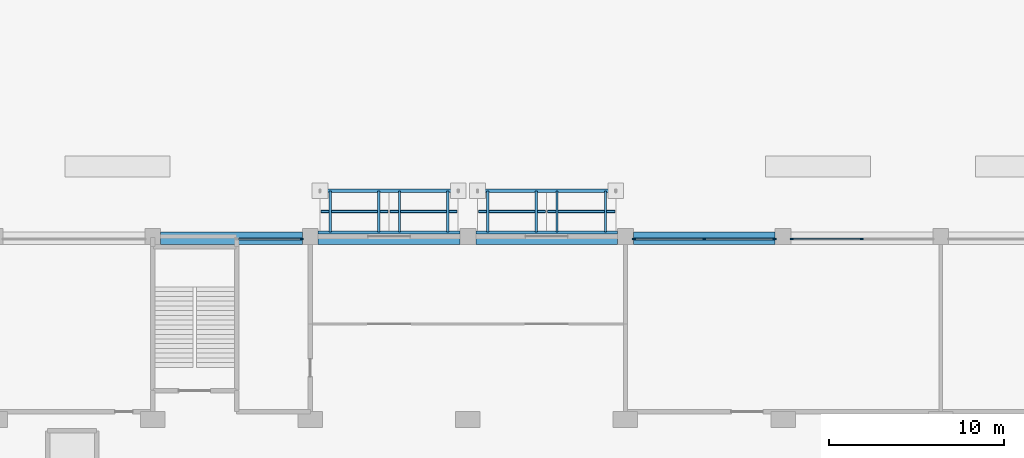
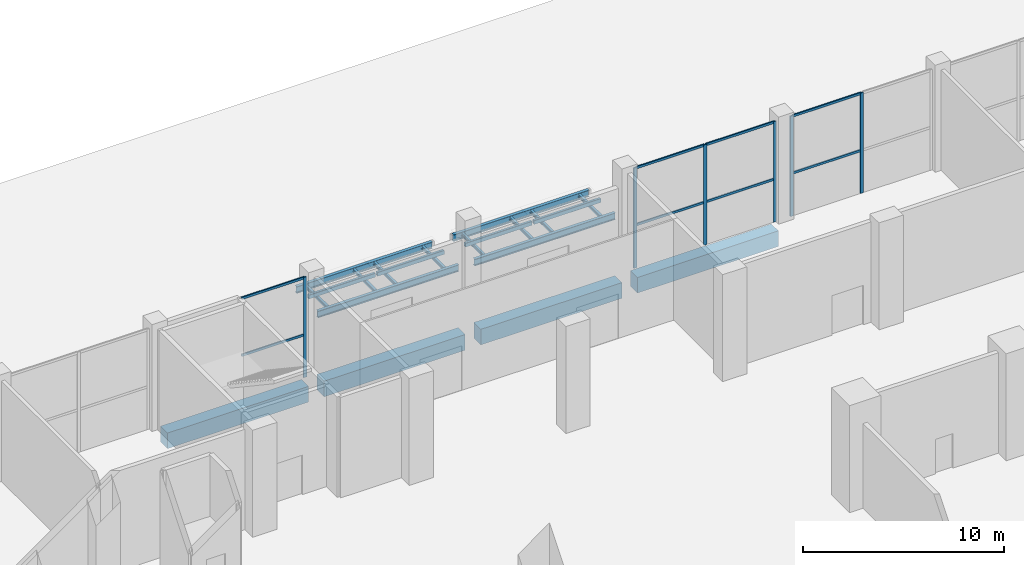
# One storey, part 25 of 39: 18 members, 16 beams, 3 elements without a shape of their own.
"""IFC4 building model written with IfcOpenShell, lengths in metres."""

from ifc_helpers import new_model, si_unit, direction, frame, origin, origin_2d, place, context, subcontext, project, spatial, rectangle, hollow_rectangle, i_section, extrude, material, layer, layer_set, material_profile, profile_set, type_object, element, aggregate, save


model = new_model("IFC4")

# Units and contexts
model_context = context("Model", 3, precision=1e-05, world=origin(), true_north=direction((0.0, 1.0)))
body_context = subcontext(model_context, "Body", "Model", "MODEL_VIEW")
ifc_project = project(units=[si_unit("LENGTHUNIT", "METRE"), si_unit("AREAUNIT", "SQUARE_METRE"), si_unit("VOLUMEUNIT", "CUBIC_METRE"), si_unit("PLANEANGLEUNIT", "RADIAN"), si_unit("MASSUNIT", "GRAM", prefix="KILO")], contexts=[model_context])

# Site, building, storey
site_placement = place(None, origin())
site = spatial("IfcSite", under=ifc_project, at=site_placement, CompositionType="ELEMENT")
building_placement = place(site_placement, origin())
building = spatial("IfcBuilding", under=site, at=building_placement, Name="Brigalow Station Residences", CompositionType="ELEMENT")
storey_placement = place(building_placement, origin())
storey = spatial("IfcBuildingStorey", under=building, at=storey_placement, Name="L00", CompositionType="ELEMENT", Elevation=0.0)

# Beams
ifc_material_1 = material(Name="Steel Grade 300 to AS/NZS 3679.1", Category="steel")
ifc_material_profile_1 = material_profile(ifc_material_1, i_section(OverallWidth=0.133056640625, OverallDepth=0.203125, WebThickness=0.005859375, FlangeThickness=0.0078125, FilletRadius=0.0087890625, at=origin_2d()), Name="200UB25.4")
ifc_profile_set_1 = profile_set([ifc_material_profile_1], Name="Steel Grade 300 to AS/NZS 3679.1")
beam_type_1 = type_object("IfcBeamType", Name="CANOPY ARM 200UB25.4", PredefinedType="BEAM", material=ifc_profile_set_1)
for number, where, z_axis, x_axis, name in (
    (1, (37.142578125, 58.742919921875, 3.326416015625), (0.0, 1.0, 0.0), (-1.0, 0.0, 0.0), "L00/canopy-arm/N-entry-e-1-1"),
    (2, (39.907470703125, 58.742919921875, 3.326416015625), (0.0, 1.0, 0.0), (-1.0, 0.0, 0.0), "L00/canopy-arm/N-entry-e-1-2"),
    (3, (41.092529296875, 58.742919921875, 3.326416015625), (0.0, 1.0, 0.0), (-1.0, 0.0, 0.0), "L00/canopy-arm/N-entry-e-2-1"),
    (4, (43.857421875, 58.742919921875, 3.326416015625), (0.0, 1.0, 0.0), (-1.0, 0.0, 0.0), "L00/canopy-arm/N-entry-e-2-2"),
    (5, (28.142578125, 58.742919921875, 3.326416015625), (0.0, 1.0, 0.0), (-1.0, 0.0, 0.0), "L00/canopy-arm/N-entry-w-1-1"),
    (6, (30.907470703125, 58.742919921875, 3.326416015625), (0.0, 1.0, 0.0), (-1.0, 0.0, 0.0), "L00/canopy-arm/N-entry-w-1-2"),
    (7, (32.092529296875, 58.742919921875, 3.326416015625), (0.0, 1.0, 0.0), (-1.0, 0.0, 0.0), "L00/canopy-arm/N-entry-w-2-1"),
    (8, (34.857421875, 58.742919921875, 3.326416015625), (0.0, 1.0, 0.0), (-1.0, 0.0, 0.0), "L00/canopy-arm/N-entry-w-2-2"),
):
    element("IfcBeam", number, at=place(storey_placement, frame(where, z_axis=z_axis, x_axis=x_axis)), inside=storey, type_object=beam_type_1, Name=name, PredefinedType="BEAM", context=body_context, shape_type="SweptSolid", body=[
        extrude(i_section(OverallWidth=0.133056640625, OverallDepth=0.203125, WebThickness=0.005859375, FlangeThickness=0.0078125, FilletRadius=0.0087890625, at=origin_2d()), origin(), (0.0, 0.0, 1.0), 2.3642578125),
    ])
ifc_material_2 = material(Name="Steel Grade 300 to AS/NZS 3679.1", Category="steel")
ifc_material_profile_2 = material_profile(ifc_material_2, i_section(OverallWidth=0.177978515625, OverallDepth=0.406494140625, WebThickness=0.0078125, FlangeThickness=0.0126953125, FilletRadius=0.011474609375, at=origin_2d()), Name="410UB59.7")
ifc_profile_set_2 = profile_set([ifc_material_profile_2], Name="Steel Grade 300 to AS/NZS 3679.1")
beam_type_2 = type_object("IfcBeamType", Name="CANOPY EDGE BEAM 410UB59.7", PredefinedType="BEAM", material=ifc_profile_set_2)
beam_1_placement = place(storey_placement, frame((36.449951171875, 58.739013671875, 3.27490234375), z_axis=(1.0, 0.0, 0.0), x_axis=(0.0, 1.0, 0.0)))
element("IfcBeam", 9, at=beam_1_placement, inside=storey, type_object=beam_type_2, Name="L00/canopy-beam/N-entry-e", PredefinedType="BEAM", context=body_context, shape_type="SweptSolid", body=[
    extrude(i_section(OverallWidth=0.177978515625, OverallDepth=0.406494140625, WebThickness=0.0078125, FlangeThickness=0.0126953125, FilletRadius=0.011474609375, at=origin_2d()), origin(), (0.0, 0.0, 1.0), 8.10009765625),
])
beam_2_placement = place(storey_placement, frame((36.60009765625, 61.111083984375, 3.27490234375), z_axis=(1.0, 0.0, 0.0), x_axis=(0.0, 1.0, 0.0)))
element("IfcBeam", 10, at=beam_2_placement, inside=storey, type_object=beam_type_2, Name="L00/canopy-tip/N-entry-e", PredefinedType="BEAM", context=body_context, shape_type="SweptSolid", body=[
    extrude(i_section(OverallWidth=0.177978515625, OverallDepth=0.406494140625, WebThickness=0.0078125, FlangeThickness=0.0126953125, FilletRadius=0.011474609375, at=origin_2d()), origin(), (0.0, 0.0, 1.0), 7.7998046875),
])
beam_3_placement = place(storey_placement, frame((27.449951171875, 58.739013671875, 3.27490234375), z_axis=(1.0, 0.0, 0.0), x_axis=(0.0, 1.0, 0.0)))
element("IfcBeam", 11, at=beam_3_placement, inside=storey, type_object=beam_type_2, Name="L00/canopy-beam/N-entry-w", PredefinedType="BEAM", context=body_context, shape_type="SweptSolid", body=[
    extrude(i_section(OverallWidth=0.177978515625, OverallDepth=0.406494140625, WebThickness=0.0078125, FlangeThickness=0.0126953125, FilletRadius=0.011474609375, at=origin_2d()), origin(), (0.0, 0.0, 1.0), 8.10009765625),
])
beam_4_placement = place(storey_placement, frame((27.60009765625, 61.111083984375, 3.27490234375), z_axis=(1.0, 0.0, 0.0), x_axis=(0.0, 1.0, 0.0)))
element("IfcBeam", 12, at=beam_4_placement, inside=storey, type_object=beam_type_2, Name="L00/canopy-tip/N-entry-w", PredefinedType="BEAM", context=body_context, shape_type="SweptSolid", body=[
    extrude(i_section(OverallWidth=0.177978515625, OverallDepth=0.406494140625, WebThickness=0.0078125, FlangeThickness=0.0126953125, FilletRadius=0.011474609375, at=origin_2d()), origin(), (0.0, 0.0, 1.0), 7.7998046875),
])

# Members
ifc_material_3 = material(Name="Steel Grade C450L0 to AS/NZS 1163", Category="steel")
ifc_material_profile_3 = material_profile(ifc_material_3, hollow_rectangle(XDim=0.14990234375, YDim=0.25, WallThickness=0.009033203125, InnerFilletRadius=0.013427734375, OuterFilletRadius=0.0224609375, at=origin_2d()), Name="250x150x9.0RHS")
ifc_profile_set_3 = profile_set([ifc_material_profile_3], Name="Steel Grade C450L0 to AS/NZS 1163")
member_type_1 = type_object("IfcMemberType", Name="CANOPY GLAZING RAIL 250x150x9.0RHS", PredefinedType="MEMBER", material=ifc_profile_set_3)
for number, where, z_axis, x_axis, name in (
    (13, (36.610107421875, 59.925048828125, 3.552978515625), (1.0, 0.0, 0.0), (0.0, 1.0, 0.0), "L00/canopy-rail/N-entry-e-1"),
    (14, (40.56005859375, 59.925048828125, 3.552978515625), (1.0, 0.0, 0.0), (0.0, 1.0, 0.0), "L00/canopy-rail/N-entry-e-2"),
    (15, (27.610107421875, 59.925048828125, 3.552978515625), (1.0, 0.0, 0.0), (0.0, 1.0, 0.0), "L00/canopy-rail/N-entry-w-1"),
    (16, (31.56005859375, 59.925048828125, 3.552978515625), (1.0, 0.0, 0.0), (0.0, 1.0, 0.0), "L00/canopy-rail/N-entry-w-2"),
):
    element("IfcMember", number, at=place(storey_placement, frame(where, z_axis=z_axis, x_axis=x_axis)), inside=storey, type_object=member_type_1, Name=name, PredefinedType="MEMBER", context=body_context, shape_type="SweptSolid", body=[
        extrude(hollow_rectangle(XDim=0.14990234375, YDim=0.25, WallThickness=0.009033203125, InnerFilletRadius=0.013427734375, OuterFilletRadius=0.0224609375, at=origin_2d()), origin(), (0.0, 0.0, 1.0), 3.829833984375),
    ])

# Beams
ifc_material_4 = material(Name="Concrete C65", Category="concrete")
ifc_material_profile_4 = material_profile(ifc_material_4, rectangle(XDim=0.699951171875, YDim=0.949951171875, at=origin_2d()), Name="RC700x950")
ifc_profile_set_4 = profile_set([ifc_material_profile_4], Name="Concrete C65")
beam_type_3 = type_object("IfcBeamType", Name="EDGE GIRDER 4.5 TO 9.9 M SPAN 700x950 C65", PredefinedType="BEAM", material=ifc_profile_set_4)
for number, where, z_axis, x_axis, name in (
    (17, (18.449951171875, 58.39990234375, -0.876953125), (1.0, 0.0, 0.0), (0.0, 1.0, 0.0), "PODIUM EDGE GIRDER N23 L00"),
    (18, (27.449951171875, 58.39990234375, -0.876953125), (1.0, 0.0, 0.0), (0.0, 1.0, 0.0), "PODIUM EDGE GIRDER N24 L00"),
    (19, (36.449951171875, 58.39990234375, -0.876953125), (1.0, 0.0, 0.0), (0.0, 1.0, 0.0), "PODIUM EDGE GIRDER N25 L00"),
    (20, (45.449951171875, 58.39990234375, -0.876953125), (1.0, 0.0, 0.0), (0.0, 1.0, 0.0), "PODIUM EDGE GIRDER N26 L00"),
):
    element("IfcBeam", number, at=place(storey_placement, frame(where, z_axis=z_axis, x_axis=x_axis)), inside=storey, type_object=beam_type_3, Name=name, PredefinedType="BEAM", context=body_context, shape_type="SweptSolid", body=[
        extrude(rectangle(XDim=0.699951171875, YDim=0.949951171875, at=origin_2d()), origin(), (0.0, 0.0, 1.0), 8.10009765625),
    ])

# Curtain wall, members
ifc_material_5 = material(Name="Aluminium", Category="aluminium")
ifc_layer = layer(ifc_material_5, 0.179931640625)
ifc_layer_set = layer_set([ifc_layer], Name="STATION CONCOURSE SHOPFRONT GLAZING CURTAIN WALL")
curtain_wall_type = type_object("IfcCurtainWallType", Name="STATION CONCOURSE SHOPFRONT GLAZING CURTAIN WALL", PredefinedType="NOTDEFINED", material=ifc_layer_set)
curtain_wall_1_placement = place(storey_placement, origin())
curtain_wall_1 = element("IfcCurtainWall", 21, at=curtain_wall_1_placement, inside=storey, type_object=curtain_wall_type, Name="L00/cw/podium-W-L00-19-6", PredefinedType="NOTDEFINED")
ifc_material_6 = material(Name="Aluminium", Category="aluminium")
ifc_material_profile_5 = material_profile(ifc_material_6, rectangle(XDim=0.074951171875, YDim=0.179931640625, at=origin_2d()), Name="STATION CONCOURSE SHOPFRONT GLAZING MULLION 75x180")
ifc_profile_set_5 = profile_set([ifc_material_profile_5], Name="Aluminium")
member_type_2 = type_object("IfcMemberType", Name="STATION CONCOURSE SHOPFRONT GLAZING MULLION 75x180", PredefinedType="MULLION", material=ifc_profile_set_5)
member_1_placement = place(storey_placement, frame((58.5, 58.35009765625, 0.0), z_axis=(0.0, 0.0, 1.0), x_axis=(0.0, -1.0, 0.0)))
member_1 = element("IfcMember", 22, at=member_1_placement, type_object=member_type_2, Name="L00/cw/podium-W-L00-19-6/M01", PredefinedType="MULLION", context=body_context, shape_type="SweptSolid", body=[
    extrude(rectangle(XDim=0.074951171875, YDim=0.179931640625, at=origin_2d()), origin(), (0.0, 0.0, 1.0), 6.097900390625),
])
member_2_placement = place(storey_placement, frame((54.487548828125, 58.35009765625, 0.0), z_axis=(0.0, 0.0, 1.0), x_axis=(0.0, -1.0, 0.0)))
member_2 = element("IfcMember", 23, at=member_2_placement, type_object=member_type_2, Name="L00/cw/podium-W-L00-19-6/M02", PredefinedType="MULLION", context=body_context, shape_type="SweptSolid", body=[
    extrude(rectangle(XDim=0.074951171875, YDim=0.179931640625, at=origin_2d()), origin(), (0.0, 0.0, 1.0), 6.097900390625),
])

curtain_wall_2_placement = place(storey_placement, origin())
curtain_wall_2 = element("IfcCurtainWall", 24, at=curtain_wall_2_placement, inside=storey, type_object=curtain_wall_type, Name="L00/cw/podium-W-L00-19-7", PredefinedType="NOTDEFINED")
member_3_placement = place(storey_placement, frame((53.512451171875, 58.35009765625, 0.0), z_axis=(0.0, 0.0, 1.0), x_axis=(0.0, -1.0, 0.0)))
member_3 = element("IfcMember", 25, at=member_3_placement, type_object=member_type_2, Name="L00/cw/podium-W-L00-19-7/M00", PredefinedType="MULLION", context=body_context, shape_type="SweptSolid", body=[
    extrude(rectangle(XDim=0.074951171875, YDim=0.179931640625, at=origin_2d()), origin(), (0.0, 0.0, 1.0), 6.097900390625),
])
member_4_placement = place(storey_placement, frame((49.5, 58.35009765625, 0.0), z_axis=(0.0, 0.0, 1.0), x_axis=(0.0, -1.0, 0.0)))
member_4 = element("IfcMember", 26, at=member_4_placement, type_object=member_type_2, Name="L00/cw/podium-W-L00-19-7/M01", PredefinedType="MULLION", context=body_context, shape_type="SweptSolid", body=[
    extrude(rectangle(XDim=0.074951171875, YDim=0.179931640625, at=origin_2d()), origin(), (0.0, 0.0, 1.0), 6.097900390625),
])
member_5_placement = place(storey_placement, frame((45.487548828125, 58.35009765625, 0.0), z_axis=(0.0, 0.0, 1.0), x_axis=(0.0, -1.0, 0.0)))
member_5 = element("IfcMember", 27, at=member_5_placement, type_object=member_type_2, Name="L00/cw/podium-W-L00-19-7/M02", PredefinedType="MULLION", context=body_context, shape_type="SweptSolid", body=[
    extrude(rectangle(XDim=0.074951171875, YDim=0.179931640625, at=origin_2d()), origin(), (0.0, 0.0, 1.0), 6.097900390625),
])

# Curtain wall, member
curtain_wall_3_placement = place(storey_placement, origin())
curtain_wall_3 = element("IfcCurtainWall", 28, at=curtain_wall_3_placement, inside=storey, type_object=curtain_wall_type, Name="L00/cw/podium-W-L00-19-8", PredefinedType="NOTDEFINED")
member_6_placement = place(storey_placement, frame((26.512451171875, 58.35009765625, 0.0), z_axis=(0.0, 0.0, 1.0), x_axis=(0.0, -1.0, 0.0)))
member_6 = element("IfcMember", 29, at=member_6_placement, type_object=member_type_2, Name="L00/cw/podium-W-L00-19-8/M00", PredefinedType="MULLION", context=body_context, shape_type="SweptSolid", body=[
    extrude(rectangle(XDim=0.074951171875, YDim=0.179931640625, at=origin_2d()), origin(), (0.0, 0.0, 1.0), 6.097900390625),
])

# Member
ifc_material_7 = material(Name="Aluminium", Category="aluminium")
ifc_material_profile_6 = material_profile(ifc_material_7, rectangle(XDim=0.074951171875, YDim=0.139892578125, at=origin_2d()), Name="STATION CONCOURSE SHOPFRONT GLAZING TRANSOM 75x140")
ifc_profile_set_6 = profile_set([ifc_material_profile_6], Name="Aluminium")
member_type_3 = type_object("IfcMemberType", Name="STATION CONCOURSE SHOPFRONT GLAZING TRANSOM 75x140", PredefinedType="USERDEFINED", material=ifc_profile_set_6)
member_7_placement = place(storey_placement, frame((58.46240234375, 58.35009765625, 2.60009765625), z_axis=(-1.0, 0.0, 0.0), x_axis=(0.0, -1.0, 0.0)))
member_7 = element("IfcMember", 30, at=member_7_placement, type_object=member_type_3, Name="L00/cw/podium-W-L00-19-6/T01-00", ObjectType="TRANSOM", PredefinedType="USERDEFINED", context=body_context, shape_type="SweptSolid", body=[
    extrude(rectangle(XDim=0.074951171875, YDim=0.139892578125, at=origin_2d()), origin(), (0.0, 0.0, 1.0), 3.9375),
])

member_8_placement = place(storey_placement, frame((58.46240234375, 58.35009765625, 6.060546875), z_axis=(-1.0, 0.0, 0.0), x_axis=(0.0, -1.0, 0.0)))
member_8 = element("IfcMember", 31, at=member_8_placement, type_object=member_type_3, Name="L00/cw/podium-W-L00-19-6/T01-01", ObjectType="TRANSOM", PredefinedType="USERDEFINED", context=body_context, shape_type="SweptSolid", body=[
    extrude(rectangle(XDim=0.074951171875, YDim=0.139892578125, at=origin_2d()), origin(), (0.0, 0.0, 1.0), 3.9375),
])

aggregate(curtain_wall_1, [member_1, member_2, member_7, member_8])

member_9_placement = place(storey_placement, frame((53.47509765625, 58.35009765625, 2.60009765625), z_axis=(-1.0, 0.0, 0.0), x_axis=(0.0, -1.0, 0.0)))
member_9 = element("IfcMember", 32, at=member_9_placement, type_object=member_type_3, Name="L00/cw/podium-W-L00-19-7/T00-00", ObjectType="TRANSOM", PredefinedType="USERDEFINED", context=body_context, shape_type="SweptSolid", body=[
    extrude(rectangle(XDim=0.074951171875, YDim=0.139892578125, at=origin_2d()), origin(), (0.0, 0.0, 1.0), 3.9375),
])

member_10_placement = place(storey_placement, frame((53.47509765625, 58.35009765625, 6.060546875), z_axis=(-1.0, 0.0, 0.0), x_axis=(0.0, -1.0, 0.0)))
member_10 = element("IfcMember", 33, at=member_10_placement, type_object=member_type_3, Name="L00/cw/podium-W-L00-19-7/T00-01", ObjectType="TRANSOM", PredefinedType="USERDEFINED", context=body_context, shape_type="SweptSolid", body=[
    extrude(rectangle(XDim=0.074951171875, YDim=0.139892578125, at=origin_2d()), origin(), (0.0, 0.0, 1.0), 3.9375),
])

member_11_placement = place(storey_placement, frame((49.46240234375, 58.35009765625, 2.60009765625), z_axis=(-1.0, 0.0, 0.0), x_axis=(0.0, -1.0, 0.0)))
member_11 = element("IfcMember", 34, at=member_11_placement, type_object=member_type_3, Name="L00/cw/podium-W-L00-19-7/T01-00", ObjectType="TRANSOM", PredefinedType="USERDEFINED", context=body_context, shape_type="SweptSolid", body=[
    extrude(rectangle(XDim=0.074951171875, YDim=0.139892578125, at=origin_2d()), origin(), (0.0, 0.0, 1.0), 3.9375),
])

member_12_placement = place(storey_placement, frame((49.46240234375, 58.35009765625, 6.060546875), z_axis=(-1.0, 0.0, 0.0), x_axis=(0.0, -1.0, 0.0)))
member_12 = element("IfcMember", 35, at=member_12_placement, type_object=member_type_3, Name="L00/cw/podium-W-L00-19-7/T01-01", ObjectType="TRANSOM", PredefinedType="USERDEFINED", context=body_context, shape_type="SweptSolid", body=[
    extrude(rectangle(XDim=0.074951171875, YDim=0.139892578125, at=origin_2d()), origin(), (0.0, 0.0, 1.0), 3.9375),
])

aggregate(curtain_wall_2, [member_3, member_4, member_5, member_9, member_10, member_11, member_12])

member_13_placement = place(storey_placement, frame((26.47509765625, 58.35009765625, 2.60009765625), z_axis=(-1.0, 0.0, 0.0), x_axis=(0.0, -1.0, 0.0)))
member_13 = element("IfcMember", 36, at=member_13_placement, type_object=member_type_3, Name="L00/cw/podium-W-L00-19-8/T00-00", ObjectType="TRANSOM", PredefinedType="USERDEFINED", context=body_context, shape_type="SweptSolid", body=[
    extrude(rectangle(XDim=0.074951171875, YDim=0.139892578125, at=origin_2d()), origin(), (0.0, 0.0, 1.0), 3.60009765625),
])

member_14_placement = place(storey_placement, frame((26.47509765625, 58.35009765625, 6.060546875), z_axis=(-1.0, 0.0, 0.0), x_axis=(0.0, -1.0, 0.0)))
member_14 = element("IfcMember", 37, at=member_14_placement, type_object=member_type_3, Name="L00/cw/podium-W-L00-19-8/T00-01", ObjectType="TRANSOM", PredefinedType="USERDEFINED", context=body_context, shape_type="SweptSolid", body=[
    extrude(rectangle(XDim=0.074951171875, YDim=0.139892578125, at=origin_2d()), origin(), (0.0, 0.0, 1.0), 3.60009765625),
])

aggregate(curtain_wall_3, [member_6, member_13, member_14])

save(model, "model.ifc")
